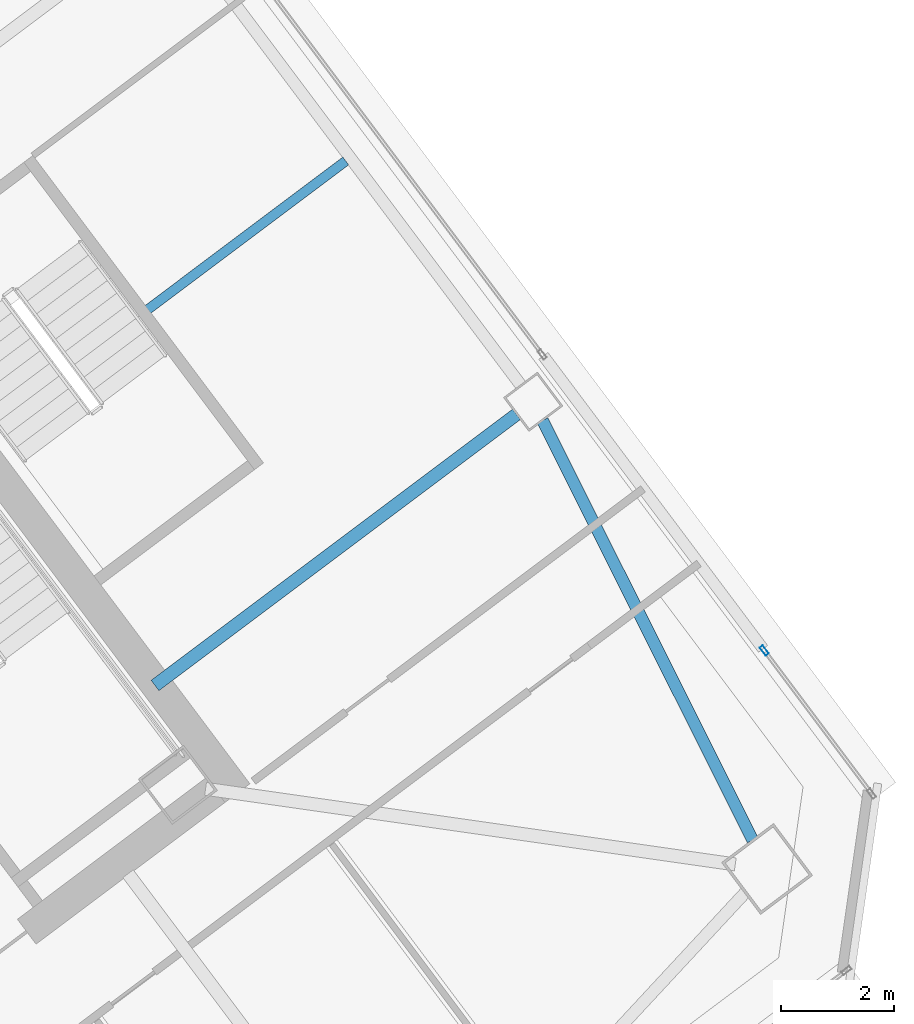
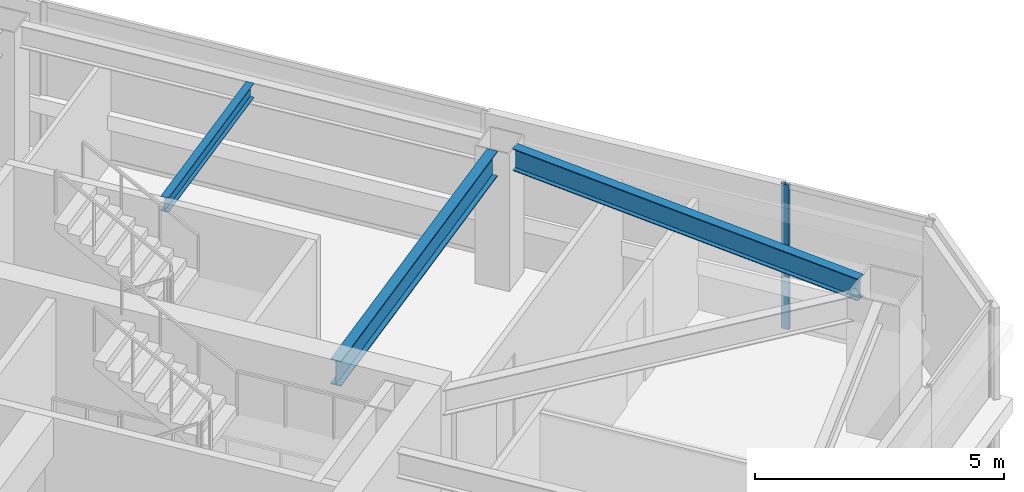
# One storey, part 23 of 41: 3 beams, 1 member, 1 element without a shape of its own.
"""IFC4 building model written with IfcOpenShell, lengths in metres."""

from ifc_helpers import new_model, si_unit, direction, frame, origin, origin_2d, place, context, subcontext, project, spatial, hollow_rectangle, i_section, extrude, material, material_profile, profile_set, type_object, element, aggregate, save


model = new_model("IFC4")

# Units and contexts
model_context = context("Model", 3, precision=1e-05, world=origin(), true_north=direction((0.0, 1.0)))
body_context = subcontext(model_context, "Body", "Model", "MODEL_VIEW")
ifc_project = project(units=[si_unit("LENGTHUNIT", "METRE"), si_unit("AREAUNIT", "SQUARE_METRE"), si_unit("VOLUMEUNIT", "CUBIC_METRE"), si_unit("PLANEANGLEUNIT", "RADIAN"), si_unit("MASSUNIT", "GRAM", prefix="KILO")], contexts=[model_context])

# Site, building, storey
site_placement = place(None, origin())
site = spatial("IfcSite", under=ifc_project, at=site_placement, CompositionType="ELEMENT")
building_placement = place(site_placement, origin())
building = spatial("IfcBuilding", under=site, at=building_placement, Name="Tashvorn Skyway Center", CompositionType="ELEMENT")
storey_placement = place(building_placement, frame((0.0, 0.0, 174.75)))
storey = spatial("IfcBuildingStorey", under=building, at=storey_placement, Name="L47", CompositionType="ELEMENT", Elevation=174.75)

# Beams
ifc_material_1 = material(Name="Steel ASTM A992 Grade 50", Category="steel")
ifc_material_profile_1 = material_profile(ifc_material_1, i_section(OverallWidth=0.22998046875, OverallDepth=0.616943359375, WebThickness=0.01318359375, FlangeThickness=0.022216796875, at=origin_2d()), Name="W24X94")
ifc_profile_set_1 = profile_set([ifc_material_profile_1], Name="Steel ASTM A992 Grade 50")
beam_type_1 = type_object("IfcBeamType", Name="BM-BEAM-W24X94", PredefinedType="BEAM", material=ifc_profile_set_1)
beam_1_placement = place(storey_placement, frame((129.864013671875, 37.14794921875, 3.0615234375), z_axis=(-0.799992675677, -0.60000976564, 0.0), x_axis=(0.60000976564, -0.799992675677, 0.0)))
element("IfcBeam", 1, at=beam_1_placement, inside=storey, type_object=beam_type_1, Name="Tower 2 L47 Primary Floor Girder FC-E1", PredefinedType="BEAM", context=body_context, shape_type="SweptSolid", body=[
    extrude(i_section(OverallWidth=0.22998046875, OverallDepth=0.616943359375, WebThickness=0.01318359375, FlangeThickness=0.022216796875, at=origin_2d()), origin(), (0.0, 0.0, 1.0), 8.0),
])
ifc_material_profile_2 = material_profile(ifc_material_1, i_section(OverallWidth=0.1708984375, OverallDepth=0.35498046875, WebThickness=0.007080078125, FlangeThickness=0.01171875, at=origin_2d()), Name="W14X34")
ifc_profile_set_2 = profile_set([ifc_material_profile_2], Name="Steel ASTM A992 Grade 50")
beam_type_2 = type_object("IfcBeamType", Name="BM-JOIST-W14X34", PredefinedType="JOIST", material=ifc_profile_set_2)
beam_2_placement = place(storey_placement, frame((123.3359375, 39.001953125, 3.1923828125), z_axis=(0.799993315235, 0.600008912917, 0.0), x_axis=(-0.600008912917, 0.799993315235, 0.0)))
element("IfcBeam", 2, at=beam_2_placement, inside=storey, type_object=beam_type_2, Name="Tower 2 L47 Secondary Composite Joist JE", PredefinedType="JOIST", context=body_context, shape_type="SweptSolid", body=[
    extrude(i_section(OverallWidth=0.1708984375, OverallDepth=0.35498046875, WebThickness=0.007080078125, FlangeThickness=0.01171875, at=origin_2d()), origin(), (0.0, 0.0, 1.0), 4.382568359375),
])
ifc_material_profile_3 = material_profile(ifc_material_1, i_section(OverallWidth=0.2109375, OverallDepth=0.5390625, WebThickness=0.01171875, FlangeThickness=0.018798828125, at=origin_2d()), Name="W21X73")
ifc_profile_set_3 = profile_set([ifc_material_profile_3], Name="Steel ASTM A992 Grade 50")
beam_type_3 = type_object("IfcBeamType", Name="BM-SPANDREL-W21X73", PredefinedType="SPANDREL", material=ifc_profile_set_3)
beam_3_placement = place(storey_placement, frame((134.044921875, 29.609619140625, 3.1005859375), z_axis=(-0.447648438059, 0.894209637559, 0.0), x_axis=(-0.894209637559, -0.447648438059, 0.0)))
element("IfcBeam", 3, at=beam_3_placement, inside=storey, type_object=beam_type_3, Name="Tower 2 L47 Spandrel Beam 04", PredefinedType="SPANDREL", context=body_context, shape_type="SweptSolid", body=[
    extrude(i_section(OverallWidth=0.2109375, OverallDepth=0.5390625, WebThickness=0.01171875, FlangeThickness=0.018798828125, at=origin_2d()), origin(), (0.0, 0.0, 1.0), 8.308349609375),
])

# Curtain wall, member
ifc_material_2 = material(Name="Thermally broken bronze-anodized aluminium 6063-T6", Category="aluminium")
curtain_wall_type = type_object("IfcCurtainWallType", Name="CW-CW-Z4", PredefinedType="NOTDEFINED", material=ifc_material_2)
curtain_wall_placement = place(storey_placement, origin())
curtain_wall = element("IfcCurtainWall", 4, at=curtain_wall_placement, inside=storey, type_object=curtain_wall_type, Name="Tower 2 L47 East Unitised Curtain Wall Glazing Group 3", PredefinedType="NOTDEFINED")
ifc_material_profile_4 = material_profile(ifc_material_2, hollow_rectangle(XDim=0.070068359375, YDim=0.179931640625, WallThickness=0.00390625, at=origin_2d()), Name="ALU-MULL-70x180")
ifc_profile_set_4 = profile_set([ifc_material_profile_4], Name="Thermally broken bronze-anodized aluminium 6063-T6")
member_type = type_object("IfcMemberType", Name="CWM-CW-Z4", PredefinedType="MULLION", material=ifc_profile_set_4)
member_placement = place(storey_placement, frame((134.2490234375, 32.968017578125, 0.0), z_axis=(0.0, 0.0, 1.0), x_axis=(0.799999999998, 0.600000000002, 0.0)))
member = element("IfcMember", 5, at=member_placement, type_object=member_type, Name="CW-Z4 mullion 1", PredefinedType="MULLION", context=body_context, shape_type="SweptSolid", body=[
    extrude(hollow_rectangle(XDim=0.070068359375, YDim=0.179931640625, WallThickness=0.00390625, at=origin_2d()), origin(), (0.0, 0.0, 1.0), 3.550048828125),
])
aggregate(curtain_wall, [member])

save(model, "model.ifc")
